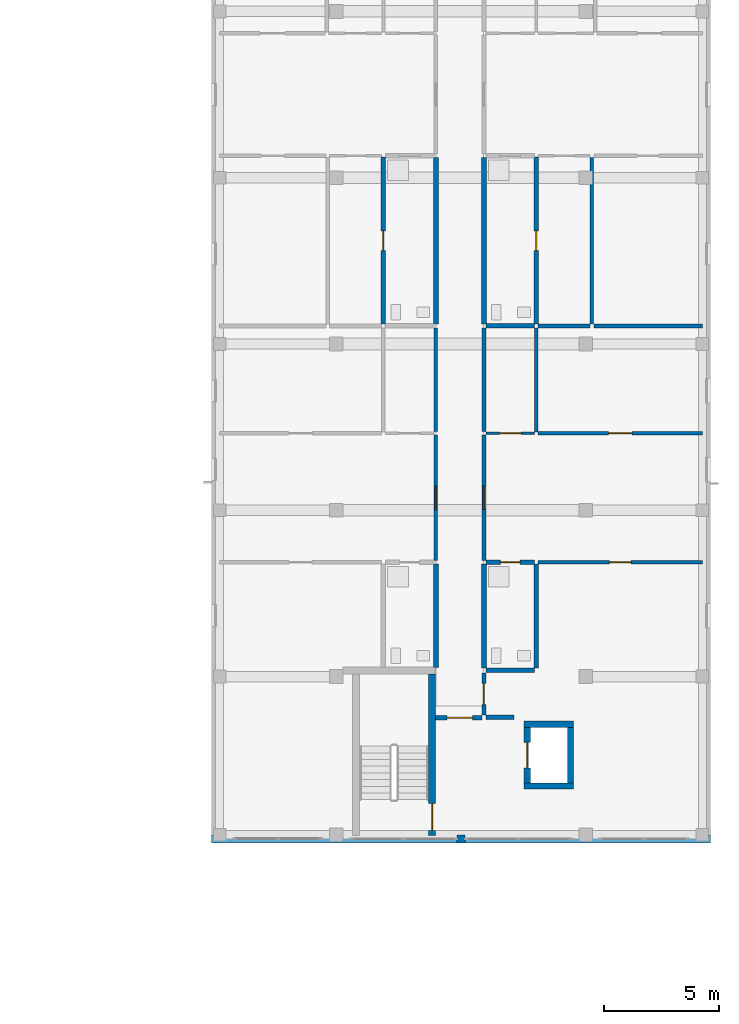
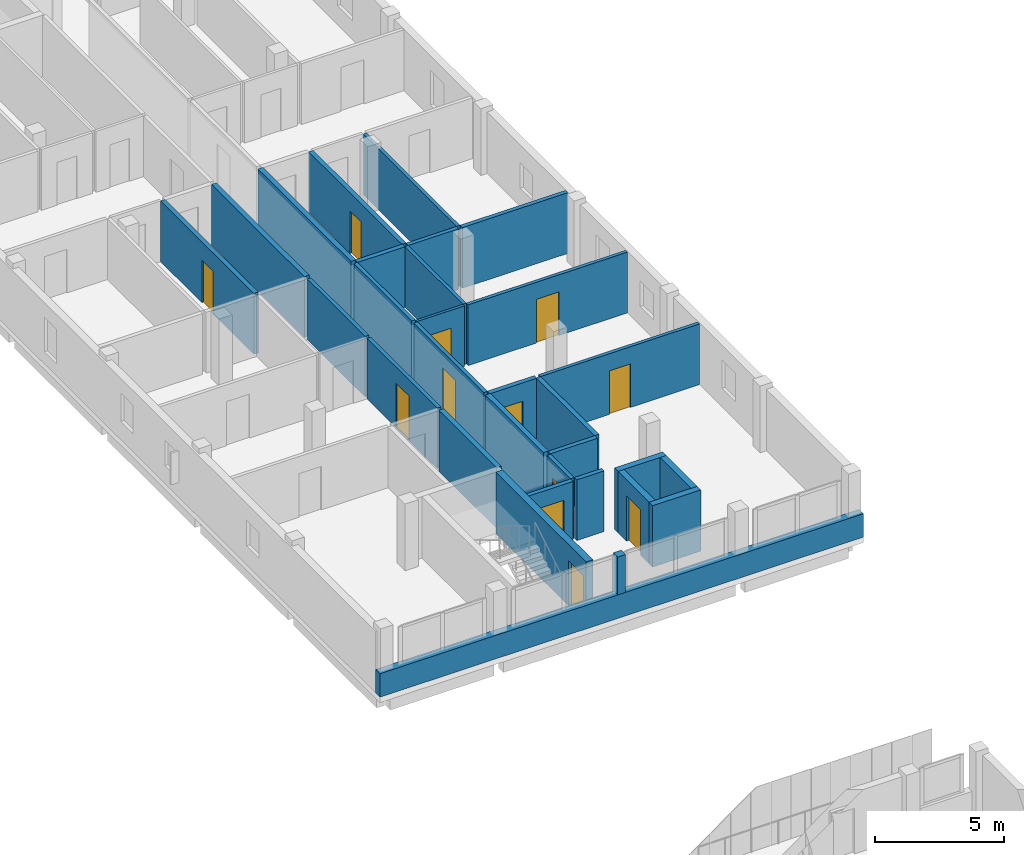
# One storey, part 22 of 38: 31 walls, 12 doors, 12 openings.
"""IFC4 building model written with IfcOpenShell, lengths in metres."""

from ifc_helpers import new_model, si_unit, derived_unit, direction, frame, frame_2d, origin, place, context, subcontext, project, spatial, rectangle, extrude, material, layer, layer_set, type_object, element, fill, save


model = new_model("IFC4")

# Units and contexts
model_context = context("Model", 3, precision=1e-05, world=origin(), true_north=direction((0.0, 1.0)))
body_context = subcontext(model_context, "Body", "Model", "MODEL_VIEW")
ifc_project = project(units=[si_unit("LENGTHUNIT", "METRE"), si_unit("AREAUNIT", "SQUARE_METRE"), si_unit("VOLUMEUNIT", "CUBIC_METRE"), si_unit("PLANEANGLEUNIT", "RADIAN"), si_unit("MASSUNIT", "GRAM", prefix="KILO"), derived_unit("THERMALTRANSMITTANCEUNIT", [(si_unit("MASSUNIT", "GRAM", prefix="KILO"), 1), (si_unit("TIMEUNIT", "SECOND"), -3), (si_unit("THERMODYNAMICTEMPERATUREUNIT", "KELVIN"), -1)])], contexts=[model_context])

# Site, building, storey
site_placement = place(None, origin())
site = spatial("IfcSite", under=ifc_project, at=site_placement, CompositionType="ELEMENT")
building_placement = place(site_placement, origin())
building = spatial("IfcBuilding", under=site, at=building_placement, Name="Ochrekiln Boulevard Commons", CompositionType="ELEMENT")
storey_placement = place(building_placement, frame((0.0, 0.0, 24.675048828125)))
storey = spatial("IfcBuildingStorey", under=building, at=storey_placement, Name="L07", CompositionType="ELEMENT", Elevation=24.675048828125)

# Walls
ifc_material_1 = material(Name="Iron-spot brown clinker brick masonry ASTM C216 Grade SW", Category="masonry")
ifc_layer_1 = layer(ifc_material_1, 0.340087890625)
ifc_layer_set_1 = layer_set([ifc_layer_1], Name="Iron-spot brown clinker brick masonry ASTM C216 Grade SW")
wall_type_1 = type_object("IfcWallType", Name="WL-EXT-IRON-340", PredefinedType="SOLIDWALL", material=ifc_layer_set_1)
wall_1_placement = place(storey_placement, frame((151.199951171875, 68.570068359375, 0.0), z_axis=(0.0, 0.0, 1.0), x_axis=(1.0, 0.0, 0.0)))
element("IfcWall", 1, at=wall_1_placement, inside=storey, type_object=wall_type_1, Name="Block B L07 Courtyard Gable Sill Wall", PredefinedType="SOLIDWALL", context=body_context, shape_type="SweptSolid", body=[
    extrude(rectangle(XDim=21.60009765625, YDim=0.340087890625, at=frame_2d((10.800048828125, 0.0))), origin(), (0.0, 0.0, 1.0), 1.10986328125),
])
wall_2_placement = place(storey_placement, frame((161.820068359375, 68.570068359375, 1.10986328125), z_axis=(0.0, 0.0, 1.0), x_axis=(1.0, 0.0, 0.0)))
element("IfcWall", 2, at=wall_2_placement, inside=storey, type_object=wall_type_1, Name="Block B L07 Courtyard Gable Mullion Pier", PredefinedType="SOLIDWALL", context=body_context, shape_type="SweptSolid", body=[
    extrude(rectangle(XDim=0.35986328125, YDim=0.340087890625, at=frame_2d((0.179931640625, 0.0))), origin(), (0.0, 0.0, 1.0), 1.7900390625),
])
ifc_material_2 = material(Name="Moisture-resistant cementitious tile backer wall")
ifc_layer_2 = layer(ifc_material_2, 0.199951171875)
ifc_layer_set_2 = layer_set([ifc_layer_2], Name="Moisture-resistant cementitious tile backer wall")
wall_type_2 = type_object("IfcWallType", Name="WL-PLM-200", PredefinedType="PLUMBINGWALL", material=ifc_layer_set_2)
wall_3_placement = place(storey_placement, frame((163.072998046875, 75.875, 0.0), z_axis=(0.0, 0.0, 1.0), x_axis=(1.0, 0.0, 0.0)))
element("IfcWall", 3, at=wall_3_placement, inside=storey, type_object=wall_type_2, Name="L07 Interior Wall W-PW200", PredefinedType="PLUMBINGWALL", context=body_context, shape_type="SweptSolid", body=[
    extrude(rectangle(XDim=2.10693359375, YDim=0.199951171875, at=frame_2d((1.053466796875, 0.0))), origin(), (0.0, 0.0, 1.0), 2.869873046875),
])

# Wall, opening, door
wall_4_placement = place(storey_placement, frame((158.639892578125, 90.8740234375, 0.0), z_axis=(0.0, 0.0, 1.0), x_axis=(0.0, 1.0, 0.0)))
wall_4 = element("IfcWall", 4, at=wall_4_placement, inside=storey, type_object=wall_type_2, Name="L07 Interior Wall W-PW200", PredefinedType="PLUMBINGWALL", context=body_context, shape_type="SweptSolid", body=[
    extrude(rectangle(XDim=7.216064453125, YDim=0.199951171875, at=frame_2d((3.60791015625, 0.0))), origin(), (0.0, 0.0, 1.0), 2.869873046875),
])
opening_1_placement = place(wall_4_placement, frame((3.173095703125, 0.0, 0.0)))
opening_1 = element("IfcOpeningElement", 5, at=opening_1_placement, cuts=wall_4, Name="Opening D-L07-942", PredefinedType="OPENING", context=body_context, shape_type="SweptSolid", body=[
    extrude(rectangle(XDim=0.85009765625, YDim=2.010009765625, at=frame_2d((0.425048828125, 1.0048828125))), frame((0.0, 0.10986328125, 0.0), z_axis=(0.0, -1.0, 0.0), x_axis=(1.0, 0.0, 0.0)), (0.0, 0.0, 1.0), 0.219970703125),
])
ifc_material_3 = material(Name="Solid core architectural oak door leaf")
door_type_1 = type_object("IfcDoorType", Name="DR-INT-KIT-085", OperationType="NOTDEFINED", PredefinedType="DOOR", material=ifc_material_3)
door_1_placement = place(opening_1_placement, frame((0.85009765625, 0.0, 0.0), z_axis=(0.0, 0.0, 1.0), x_axis=(-1.0, 0.0, 0.0)))
door_1 = element("IfcDoor", 6, at=door_1_placement, inside=storey, type_object=door_type_1, Name="L07 Interior Door to Apartment Bathroom", OperationType="SINGLE_SWING_RIGHT", OverallHeight=2.010009765625, OverallWidth=0.85009765625, PredefinedType="DOOR", context=body_context, shape_type="SweptSolid", body=[
    extrude(rectangle(XDim=0.85009765625, YDim=2.010009765625, at=frame_2d((0.425048828125, 1.0048828125))), frame((0.0, 0.02490234375, 0.0), z_axis=(0.0, -1.0, 0.0), x_axis=(1.0, 0.0, 0.0)), (0.0, 0.0, 1.0), 0.050048828125),
])
fill(opening_1, door_1)

wall_5_placement = place(storey_placement, frame((163.072998046875, 80.554931640625, 0.0), z_axis=(0.0, 0.0, 1.0), x_axis=(1.0, 0.0, 0.0)))
wall_5 = element("IfcWall", 7, at=wall_5_placement, inside=storey, type_object=wall_type_2, Name="L07 Interior Wall W-PW200", PredefinedType="PLUMBINGWALL", context=body_context, shape_type="SweptSolid", body=[
    extrude(rectangle(XDim=2.10693359375, YDim=0.199951171875, at=frame_2d((1.053466796875, 0.0))), origin(), (0.0, 0.0, 1.0), 2.869873046875),
])
opening_2_placement = place(wall_5_placement, frame((0.626953125, 0.0, 0.0)))
opening_2 = element("IfcOpeningElement", 8, at=opening_2_placement, cuts=wall_5, Name="Opening D-L07-943", PredefinedType="OPENING", context=body_context, shape_type="SweptSolid", body=[
    extrude(rectangle(XDim=0.860107421875, YDim=2.0, at=frame_2d((0.43017578125, 1.0))), frame((0.0, 0.10986328125, 0.0), z_axis=(0.0, -1.0, 0.0), x_axis=(1.0, 0.0, 0.0)), (0.0, 0.0, 1.0), 0.219970703125),
])
door_type_2 = type_object("IfcDoorType", Name="DR-INT-BTH-086", OperationType="NOTDEFINED", PredefinedType="DOOR", material=ifc_material_3)
door_2_placement = place(opening_2_placement, frame((0.860107421875, 0.0, 0.0), z_axis=(0.0, 0.0, 1.0), x_axis=(-1.0, 0.0, 0.0)))
door_2 = element("IfcDoor", 9, at=door_2_placement, inside=storey, type_object=door_type_2, Name="L07 Interior Door to Apartment Bathroom", OperationType="SINGLE_SWING_LEFT", OverallHeight=2.0, OverallWidth=0.860107421875, PredefinedType="DOOR", context=body_context, shape_type="SweptSolid", body=[
    extrude(rectangle(XDim=0.860107421875, YDim=2.0, at=frame_2d((0.43017578125, 1.0))), frame((0.0, 0.02490234375, 0.0), z_axis=(0.0, -1.0, 0.0), x_axis=(1.0, 0.0, 0.0)), (0.0, 0.0, 1.0), 0.050048828125),
])
fill(opening_2, door_2)

# Walls
wall_6_placement = place(storey_placement, frame((165.260009765625, 75.97509765625, 0.0), z_axis=(0.0, 0.0, 1.0), x_axis=(0.0, 1.0, 0.0)))
element("IfcWall", 10, at=wall_6_placement, inside=storey, type_object=wall_type_2, Name="L07 Interior Wall W-PW200", PredefinedType="PLUMBINGWALL", context=body_context, shape_type="SweptSolid", body=[
    extrude(rectangle(XDim=4.5048828125, YDim=0.199951171875, at=frame_2d((2.25244140625, 0.0))), origin(), (0.0, 0.0, 1.0), 2.869873046875),
])
wall_7_placement = place(storey_placement, frame((163.072998046875, 90.783935546875, 0.0), z_axis=(0.0, 0.0, 1.0), x_axis=(1.0, 0.0, 0.0)))
element("IfcWall", 11, at=wall_7_placement, inside=storey, type_object=wall_type_2, Name="L07 Interior Wall W-PW200", PredefinedType="PLUMBINGWALL", context=body_context, shape_type="SweptSolid", body=[
    extrude(rectangle(XDim=2.10693359375, YDim=0.199951171875, at=frame_2d((1.053466796875, 0.0))), origin(), (0.0, 0.0, 1.0), 2.869873046875),
])

# Wall, opening, door
wall_8_placement = place(storey_placement, frame((165.260009765625, 90.8740234375, 0.0), z_axis=(0.0, 0.0, 1.0), x_axis=(0.0, 1.0, 0.0)))
wall_8 = element("IfcWall", 12, at=wall_8_placement, inside=storey, type_object=wall_type_2, Name="L07 Interior Wall W-PW200", PredefinedType="PLUMBINGWALL", context=body_context, shape_type="SweptSolid", body=[
    extrude(rectangle(XDim=7.216064453125, YDim=0.199951171875, at=frame_2d((3.60791015625, 0.0))), origin(), (0.0, 0.0, 1.0), 2.869873046875),
])
opening_3_placement = place(wall_8_placement, frame((3.173095703125, 0.0, 0.0)))
opening_3 = element("IfcOpeningElement", 13, at=opening_3_placement, cuts=wall_8, Name="Opening D-L07-953", PredefinedType="OPENING", context=body_context, shape_type="SweptSolid", body=[
    extrude(rectangle(XDim=0.85009765625, YDim=2.010009765625, at=frame_2d((0.425048828125, 1.0048828125))), frame((0.0, 0.10986328125, 0.0), z_axis=(0.0, -1.0, 0.0), x_axis=(1.0, 0.0, 0.0)), (0.0, 0.0, 1.0), 0.219970703125),
])
door_3_placement = place(opening_3_placement, origin())
door_3 = element("IfcDoor", 14, at=door_3_placement, inside=storey, type_object=door_type_1, Name="L07 Interior Door to Apartment Bathroom", OperationType="SINGLE_SWING_LEFT", OverallHeight=2.010009765625, OverallWidth=0.85009765625, PredefinedType="DOOR", context=body_context, shape_type="SweptSolid", body=[
    extrude(rectangle(XDim=0.85009765625, YDim=2.010009765625, at=frame_2d((0.425048828125, 1.0048828125))), frame((0.0, 0.02490234375, 0.0), z_axis=(0.0, -1.0, 0.0), x_axis=(1.0, 0.0, 0.0)), (0.0, 0.0, 1.0), 0.050048828125),
])
fill(opening_3, door_3)

# Walls
ifc_layer_3 = layer(ifc_material_2, 0.219970703125)
ifc_layer_set_3 = layer_set([ifc_layer_3], Name="Moisture-resistant cementitious tile backer wall")
wall_type_3 = type_object("IfcWallType", Name="WL-PLM-220", PredefinedType="PLUMBINGWALL", material=ifc_layer_set_3)
wall_9_placement = place(storey_placement, frame((160.909912109375, 76.0, 0.0), z_axis=(0.0, 0.0, 1.0), x_axis=(0.0, 1.0, 0.0)))
element("IfcWall", 15, at=wall_9_placement, inside=storey, type_object=wall_type_3, Name="L07 Interior Wall W-PW220", PredefinedType="PLUMBINGWALL", context=body_context, shape_type="SweptSolid", body=[
    extrude(rectangle(XDim=4.47509765625, YDim=0.219970703125, at=frame_2d((2.237548828125, 0.0))), origin(), (0.0, 0.0, 1.0), 2.869873046875),
])
wall_10_placement = place(storey_placement, frame((160.909912109375, 90.8740234375, 0.0), z_axis=(0.0, 0.0, 1.0), x_axis=(0.0, 1.0, 0.0)))
element("IfcWall", 16, at=wall_10_placement, inside=storey, type_object=wall_type_3, Name="L07 Interior Wall W-PW220", PredefinedType="PLUMBINGWALL", context=body_context, shape_type="SweptSolid", body=[
    extrude(rectangle(XDim=7.196044921875, YDim=0.219970703125, at=frame_2d((3.59814453125, 0.0))), origin(), (0.0, 0.0, 1.0), 2.869873046875),
])
wall_11_placement = place(storey_placement, frame((162.989990234375, 75.97509765625, 0.0), z_axis=(0.0, 0.0, 1.0), x_axis=(0.0, 1.0, 0.0)))
element("IfcWall", 17, at=wall_11_placement, inside=storey, type_object=wall_type_3, Name="L07 Interior Wall W-PW220", PredefinedType="PLUMBINGWALL", context=body_context, shape_type="SweptSolid", body=[
    extrude(rectangle(XDim=4.5, YDim=0.219970703125, at=frame_2d((2.25, 0.0))), origin(), (0.0, 0.0, 1.0), 2.869873046875),
])
wall_12_placement = place(storey_placement, frame((162.989990234375, 90.8740234375, 0.0), z_axis=(0.0, 0.0, 1.0), x_axis=(0.0, 1.0, 0.0)))
element("IfcWall", 18, at=wall_12_placement, inside=storey, type_object=wall_type_3, Name="L07 Interior Wall W-PW220", PredefinedType="PLUMBINGWALL", context=body_context, shape_type="SweptSolid", body=[
    extrude(rectangle(XDim=7.196044921875, YDim=0.219970703125, at=frame_2d((3.59814453125, 0.0))), origin(), (0.0, 0.0, 1.0), 2.869873046875),
])

# Wall, opening, door
ifc_material_4 = material(Name="Fire-rated Type X gypsum board on steel studs", Category="steel")
ifc_layer_4 = layer(ifc_material_4, 0.1650390625)
ifc_layer_set_4 = layer_set([ifc_layer_4], Name="Fire-rated Type X gypsum board on steel studs")
wall_type_4 = type_object("IfcWallType", Name="WL-PT-CORR-165", PredefinedType="PARTITIONING", material=ifc_layer_set_4)
wall_13_placement = place(storey_placement, frame((162.989990234375, 73.929931640625, 0.0), z_axis=(0.0, 0.0, 1.0), x_axis=(0.0, 1.0, 0.0)))
wall_13 = element("IfcWall", 19, at=wall_13_placement, inside=storey, type_object=wall_type_4, Name="L07 Interior Wall W-PC165", PredefinedType="PARTITIONING", context=body_context, shape_type="SweptSolid", body=[
    extrude(rectangle(XDim=1.820068359375, YDim=0.1650390625, at=frame_2d((0.91015625, 0.0))), origin(), (0.0, 0.0, 1.0), 2.869873046875),
])
opening_4_placement = place(wall_13_placement, frame((0.4599609375, 0.0, 0.0)))
opening_4 = element("IfcOpeningElement", 20, at=opening_4_placement, cuts=wall_13, Name="Opening D-L07-927", PredefinedType="OPENING", context=body_context, shape_type="SweptSolid", body=[
    extrude(rectangle(XDim=0.919921875, YDim=2.0400390625, at=frame_2d((0.4599609375, 1.02001953125))), frame((0.0, 0.092529296875, 0.0), z_axis=(0.0, -1.0, 0.0), x_axis=(1.0, 0.0, 0.0)), (0.0, 0.0, 1.0), 0.18505859375),
])
ifc_material_5 = material(Name="Hollow metal fire-rated steel door assembly", Category="steel")
door_type_3 = type_object("IfcDoorType", Name="DR-SRV-90", OperationType="NOTDEFINED", PredefinedType="DOOR", material=ifc_material_5)
door_4_placement = place(opening_4_placement, frame((0.919921875, 0.0, 0.0), z_axis=(0.0, 0.0, 1.0), x_axis=(-1.0, 0.0, 0.0)))
door_4 = element("IfcDoor", 21, at=door_4_placement, inside=storey, type_object=door_type_3, Name="L07 Interior Door to Hydronic and Electrical Riser Room", OperationType="SINGLE_SWING_LEFT", OverallHeight=2.0400390625, OverallWidth=0.919921875, PredefinedType="DOOR", context=body_context, shape_type="SweptSolid", body=[
    extrude(rectangle(XDim=0.919921875, YDim=2.0400390625, at=frame_2d((0.4599609375, 1.02001953125))), frame((0.0, 0.02490234375, 0.0), z_axis=(0.0, -1.0, 0.0), x_axis=(1.0, 0.0, 0.0)), (0.0, 0.0, 1.0), 0.050048828125),
])
fill(opening_4, door_4)

wall_14_placement = place(storey_placement, frame((160.909912109375, 80.635009765625, 0.0), z_axis=(0.0, 0.0, 1.0), x_axis=(0.0, 1.0, 0.0)))
wall_14 = element("IfcWall", 22, at=wall_14_placement, inside=storey, type_object=wall_type_4, Name="L07 Interior Wall W-PC165", PredefinedType="PARTITIONING", context=body_context, shape_type="SweptSolid", body=[
    extrude(rectangle(XDim=5.424072265625, YDim=0.1650390625, at=frame_2d((2.7119140625, 0.0))), origin(), (0.0, 0.0, 1.0), 2.869873046875),
])
opening_5_placement = place(wall_14_placement, frame((2.20703125, 0.0, 0.0)))
opening_5 = element("IfcOpeningElement", 23, at=opening_5_placement, cuts=wall_14, Name="Opening D-L07-928", PredefinedType="OPENING", context=body_context, shape_type="SweptSolid", body=[
    extrude(rectangle(XDim=1.010009765625, YDim=2.110107421875, at=frame_2d((0.5048828125, 1.05517578125))), frame((0.0, 0.092529296875, 0.0), z_axis=(0.0, -1.0, 0.0), x_axis=(1.0, 0.0, 0.0)), (0.0, 0.0, 1.0), 0.18505859375),
])
door_type_4 = type_object("IfcDoorType", Name="DR-INT-APT-101", OperationType="NOTDEFINED", PredefinedType="DOOR", material=ifc_material_3)
door_5_placement = place(opening_5_placement, origin())
door_5 = element("IfcDoor", 24, at=door_5_placement, inside=storey, type_object=door_type_4, Name="L07 Interior Door to Two-Bedroom Apartment Living Room", OperationType="SINGLE_SWING_RIGHT", OverallHeight=2.110107421875, OverallWidth=1.010009765625, PredefinedType="DOOR", context=body_context, shape_type="SweptSolid", body=[
    extrude(rectangle(XDim=1.010009765625, YDim=2.110107421875, at=frame_2d((0.5048828125, 1.05517578125))), frame((0.0, 0.02490234375, 0.0), z_axis=(0.0, -1.0, 0.0), x_axis=(1.0, 0.0, 0.0)), (0.0, 0.0, 1.0), 0.050048828125),
])
fill(opening_5, door_5)

# Wall
wall_15_placement = place(storey_placement, frame((160.909912109375, 86.218994140625, 0.0), z_axis=(0.0, 0.0, 1.0), x_axis=(0.0, 1.0, 0.0)))
element("IfcWall", 25, at=wall_15_placement, inside=storey, type_object=wall_type_4, Name="L07 Interior Wall W-PC165", PredefinedType="PARTITIONING", context=body_context, shape_type="SweptSolid", body=[
    extrude(rectangle(XDim=4.47509765625, YDim=0.1650390625, at=frame_2d((2.237548828125, 0.0))), origin(), (0.0, 0.0, 1.0), 2.869873046875),
])

# Wall, opening, door
wall_16_placement = place(storey_placement, frame((162.989990234375, 80.635009765625, 0.0), z_axis=(0.0, 0.0, 1.0), x_axis=(0.0, 1.0, 0.0)))
wall_16 = element("IfcWall", 26, at=wall_16_placement, inside=storey, type_object=wall_type_4, Name="L07 Interior Wall W-PC165", PredefinedType="PARTITIONING", context=body_context, shape_type="SweptSolid", body=[
    extrude(rectangle(XDim=5.424072265625, YDim=0.1650390625, at=frame_2d((2.7119140625, 0.0))), origin(), (0.0, 0.0, 1.0), 2.869873046875),
])
opening_6_placement = place(wall_16_placement, frame((2.20703125, 0.0, 0.0)))
opening_6 = element("IfcOpeningElement", 27, at=opening_6_placement, cuts=wall_16, Name="Opening D-L07-930", PredefinedType="OPENING", context=body_context, shape_type="SweptSolid", body=[
    extrude(rectangle(XDim=1.010009765625, YDim=2.110107421875, at=frame_2d((0.5048828125, 1.05517578125))), frame((0.0, 0.092529296875, 0.0), z_axis=(0.0, -1.0, 0.0), x_axis=(1.0, 0.0, 0.0)), (0.0, 0.0, 1.0), 0.18505859375),
])
door_6_placement = place(opening_6_placement, frame((1.010009765625, 0.0, 0.0), z_axis=(0.0, 0.0, 1.0), x_axis=(-1.0, 0.0, 0.0)))
door_6 = element("IfcDoor", 28, at=door_6_placement, inside=storey, type_object=door_type_4, Name="L07 Interior Door to Two-Bedroom Apartment Living Room", OperationType="SINGLE_SWING_RIGHT", OverallHeight=2.110107421875, OverallWidth=1.010009765625, PredefinedType="DOOR", context=body_context, shape_type="SweptSolid", body=[
    extrude(rectangle(XDim=1.010009765625, YDim=2.110107421875, at=frame_2d((0.5048828125, 1.05517578125))), frame((0.0, 0.02490234375, 0.0), z_axis=(0.0, -1.0, 0.0), x_axis=(1.0, 0.0, 0.0)), (0.0, 0.0, 1.0), 0.050048828125),
])
fill(opening_6, door_6)

# Walls
wall_17_placement = place(storey_placement, frame((162.989990234375, 86.218994140625, 0.0), z_axis=(0.0, 0.0, 1.0), x_axis=(0.0, 1.0, 0.0)))
element("IfcWall", 29, at=wall_17_placement, inside=storey, type_object=wall_type_4, Name="L07 Interior Wall W-PC165", PredefinedType="PARTITIONING", context=body_context, shape_type="SweptSolid", body=[
    extrude(rectangle(XDim=4.47509765625, YDim=0.1650390625, at=frame_2d((2.237548828125, 0.0))), origin(), (0.0, 0.0, 1.0), 2.869873046875),
])
ifc_layer_5 = layer(ifc_material_4, 0.179931640625)
ifc_layer_set_5 = layer_set([ifc_layer_5], Name="Fire-rated Type X gypsum board on steel studs")
wall_type_5 = type_object("IfcWallType", Name="WL-PT-DEM-180", PredefinedType="PARTITIONING", material=ifc_layer_set_5)
wall_18_placement = place(storey_placement, frame((167.75, 90.783935546875, 0.0), z_axis=(0.0, 0.0, 1.0), x_axis=(1.0, 0.0, 0.0)))
element("IfcWall", 30, at=wall_18_placement, inside=storey, type_object=wall_type_5, Name="L07 Interior Wall W-PD180", PredefinedType="PARTITIONING", context=body_context, shape_type="SweptSolid", body=[
    extrude(rectangle(XDim=4.7099609375, YDim=0.179931640625, at=frame_2d((2.35498046875, 0.0))), origin(), (0.0, 0.0, 1.0), 2.869873046875),
])
wall_19_placement = place(storey_placement, frame((165.3349609375, 90.783935546875, 0.0), z_axis=(0.0, 0.0, 1.0), x_axis=(1.0, 0.0, 0.0)))
element("IfcWall", 31, at=wall_19_placement, inside=storey, type_object=wall_type_5, Name="L07 Interior Wall W-PD180", PredefinedType="PARTITIONING", context=body_context, shape_type="SweptSolid", body=[
    extrude(rectangle(XDim=2.255126953125, YDim=0.179931640625, at=frame_2d((1.12744140625, 0.0))), origin(), (0.0, 0.0, 1.0), 2.869873046875),
])
ifc_layer_6 = layer(ifc_material_4, 0.18994140625)
ifc_layer_set_6 = layer_set([ifc_layer_6], Name="Fire-rated Type X gypsum board on steel studs")
wall_type_6 = type_object("IfcWallType", Name="WL-PT-LBY-190", PredefinedType="PARTITIONING", material=ifc_layer_set_6)
wall_20_placement = place(storey_placement, frame((163.080078125, 73.8349609375, 0.0), z_axis=(0.0, 0.0, 1.0), x_axis=(1.0, 0.0, 0.0)))
element("IfcWall", 32, at=wall_20_placement, inside=storey, type_object=wall_type_6, Name="L07 Interior Wall W-PL190", PredefinedType="PARTITIONING", context=body_context, shape_type="SweptSolid", body=[
    extrude(rectangle(XDim=1.219970703125, YDim=0.18994140625, at=frame_2d((0.60986328125, 0.0))), origin(), (0.0, 0.0, 1.0), 2.869873046875),
])

# Wall, opening, door
wall_21_placement = place(storey_placement, frame((160.89990234375, 73.820068359375, 0.0), z_axis=(0.0, 0.0, 1.0), x_axis=(1.0, 0.0, 0.0)))
wall_21 = element("IfcWall", 33, at=wall_21_placement, inside=storey, type_object=wall_type_6, Name="L07 Interior Wall W-PL190", PredefinedType="PARTITIONING", context=body_context, shape_type="SweptSolid", body=[
    extrude(rectangle(XDim=2.0, YDim=0.18994140625, at=frame_2d((1.0, 0.0))), origin(), (0.0, 0.0, 1.0), 2.869873046875),
])
opening_7_placement = place(wall_21_placement, frame((0.5, 0.0, 0.0)))
opening_7 = element("IfcOpeningElement", 34, at=opening_7_placement, cuts=wall_21, Name="Opening D-L07-925", PredefinedType="OPENING", context=body_context, shape_type="SweptSolid", body=[
    extrude(rectangle(XDim=1.10009765625, YDim=2.1201171875, at=frame_2d((0.550048828125, 1.06005859375))), frame((0.0, 0.10498046875, 0.0), z_axis=(0.0, -1.0, 0.0), x_axis=(1.0, 0.0, 0.0)), (0.0, 0.0, 1.0), 0.2099609375),
])
door_type_5 = type_object("IfcDoorType", Name="DR-LOBBY-60", OperationType="NOTDEFINED", PredefinedType="DOOR", material=ifc_material_5)
door_7_placement = place(opening_7_placement, frame((1.10009765625, 0.0, 0.0), z_axis=(0.0, 0.0, 1.0), x_axis=(-1.0, 0.0, 0.0)))
door_7 = element("IfcDoor", 35, at=door_7_placement, inside=storey, type_object=door_type_5, Name="L07 Interior Door to Fire Service Access Elevator Lobby", OperationType="SINGLE_SWING_LEFT", OverallHeight=2.1201171875, OverallWidth=1.10009765625, PredefinedType="DOOR", context=body_context, shape_type="SweptSolid", body=[
    extrude(rectangle(XDim=1.10009765625, YDim=2.1201171875, at=frame_2d((0.550048828125, 1.06005859375))), frame((0.0, 0.02490234375, 0.0), z_axis=(0.0, -1.0, 0.0), x_axis=(1.0, 0.0, 0.0)), (0.0, 0.0, 1.0), 0.050048828125),
])
fill(opening_7, door_7)

ifc_layer_7 = layer(ifc_material_4, 0.1201171875)
ifc_layer_set_7 = layer_set([ifc_layer_7], Name="Fire-rated Type X gypsum board on steel studs")
wall_type_7 = type_object("IfcWallType", Name="WL-PT-LGT-120", PredefinedType="PARTITIONING", material=ifc_layer_set_7)
wall_22_placement = place(storey_placement, frame((163.072998046875, 86.138916015625, 0.0), z_axis=(0.0, 0.0, 1.0), x_axis=(1.0, 0.0, 0.0)))
wall_22 = element("IfcWall", 36, at=wall_22_placement, inside=storey, type_object=wall_type_7, Name="L07 Interior Wall W-PL120", PredefinedType="PARTITIONING", context=body_context, shape_type="SweptSolid", body=[
    extrude(rectangle(XDim=2.10693359375, YDim=0.1201171875, at=frame_2d((1.053466796875, 0.0))), origin(), (0.0, 0.0, 1.0), 2.869873046875),
])
opening_8_placement = place(wall_22_placement, frame((0.596923828125, 0.0, 0.0)))
opening_8 = element("IfcOpeningElement", 37, at=opening_8_placement, cuts=wall_22, Name="Opening D-L07-944", PredefinedType="OPENING", context=body_context, shape_type="SweptSolid", body=[
    extrude(rectangle(XDim=0.919921875, YDim=2.02001953125, at=frame_2d((0.4599609375, 1.010009765625))), frame((0.0, 0.070068359375, 0.0), z_axis=(0.0, -1.0, 0.0), x_axis=(1.0, 0.0, 0.0)), (0.0, 0.0, 1.0), 0.14013671875),
])
door_type_6 = type_object("IfcDoorType", Name="DR-INT-KIT-092", OperationType="NOTDEFINED", PredefinedType="DOOR", material=ifc_material_3)
door_8_placement = place(opening_8_placement, origin())
door_8 = element("IfcDoor", 38, at=door_8_placement, inside=storey, type_object=door_type_6, Name="L07 Interior Door to Apartment Kitchen", OperationType="SINGLE_SWING_RIGHT", OverallHeight=2.02001953125, OverallWidth=0.919921875, PredefinedType="DOOR", context=body_context, shape_type="SweptSolid", body=[
    extrude(rectangle(XDim=0.919921875, YDim=2.02001953125, at=frame_2d((0.4599609375, 1.010009765625))), frame((0.0, 0.02490234375, 0.0), z_axis=(0.0, -1.0, 0.0), x_axis=(1.0, 0.0, 0.0)), (0.0, 0.0, 1.0), 0.050048828125),
])
fill(opening_8, door_8)

ifc_layer_8 = layer(ifc_material_4, 0.14990234375)
ifc_layer_set_8 = layer_set([ifc_layer_8], Name="Fire-rated Type X gypsum board on steel studs")
wall_type_8 = type_object("IfcWallType", Name="WL-PT-STD-150", PredefinedType="PARTITIONING", material=ifc_layer_set_8)
wall_23_placement = place(storey_placement, frame((165.340087890625, 80.554931640625, 0.0), z_axis=(0.0, 0.0, 1.0), x_axis=(1.0, 0.0, 0.0)))
wall_23 = element("IfcWall", 39, at=wall_23_placement, inside=storey, type_object=wall_type_8, Name="L07 Interior Wall W-PS150", PredefinedType="PARTITIONING", context=body_context, shape_type="SweptSolid", body=[
    extrude(rectangle(XDim=7.119873046875, YDim=0.14990234375, at=frame_2d((3.56005859375, 0.0))), origin(), (0.0, 0.0, 1.0), 2.869873046875),
])
opening_9_placement = place(wall_23_placement, frame((3.0849609375, 0.0, 0.0)))
opening_9 = element("IfcOpeningElement", 40, at=opening_9_placement, cuts=wall_23, Name="Opening D-L07-945", PredefinedType="OPENING", context=body_context, shape_type="SweptSolid", body=[
    extrude(rectangle(XDim=0.93994140625, YDim=2.06005859375, at=frame_2d((0.469970703125, 1.030029296875))), frame((0.0, 0.0849609375, 0.0), z_axis=(0.0, -1.0, 0.0), x_axis=(1.0, 0.0, 0.0)), (0.0, 0.0, 1.0), 0.169921875),
])
door_type_7 = type_object("IfcDoorType", Name="DR-INT-BED-094", OperationType="NOTDEFINED", PredefinedType="DOOR", material=ifc_material_3)
door_9_placement = place(opening_9_placement, frame((0.93994140625, 0.0, 0.0), z_axis=(0.0, 0.0, 1.0), x_axis=(-1.0, 0.0, 0.0)))
door_9 = element("IfcDoor", 41, at=door_9_placement, inside=storey, type_object=door_type_7, Name="L07 Interior Door to Primary Apartment Bedroom", OperationType="SINGLE_SWING_LEFT", OverallHeight=2.06005859375, OverallWidth=0.93994140625, PredefinedType="DOOR", context=body_context, shape_type="SweptSolid", body=[
    extrude(rectangle(XDim=0.93994140625, YDim=2.06005859375, at=frame_2d((0.469970703125, 1.030029296875))), frame((0.0, 0.02490234375, 0.0), z_axis=(0.0, -1.0, 0.0), x_axis=(1.0, 0.0, 0.0)), (0.0, 0.0, 1.0), 0.050048828125),
])
fill(opening_9, door_9)

wall_24_placement = place(storey_placement, frame((165.340087890625, 86.138916015625, 0.0), z_axis=(0.0, 0.0, 1.0), x_axis=(1.0, 0.0, 0.0)))
wall_24 = element("IfcWall", 42, at=wall_24_placement, inside=storey, type_object=wall_type_8, Name="L07 Interior Wall W-PS150", PredefinedType="PARTITIONING", context=body_context, shape_type="SweptSolid", body=[
    extrude(rectangle(XDim=7.119873046875, YDim=0.14990234375, at=frame_2d((3.56005859375, 0.0))), origin(), (0.0, 0.0, 1.0), 2.869873046875),
])
opening_10_placement = place(wall_24_placement, frame((3.054931640625, 0.0, 0.0)))
opening_10 = element("IfcOpeningElement", 43, at=opening_10_placement, cuts=wall_24, Name="Opening D-L07-946", PredefinedType="OPENING", context=body_context, shape_type="SweptSolid", body=[
    extrude(rectangle(XDim=1.0, YDim=2.06005859375, at=frame_2d((0.5, 1.030029296875))), frame((0.0, 0.0849609375, 0.0), z_axis=(0.0, -1.0, 0.0), x_axis=(1.0, 0.0, 0.0)), (0.0, 0.0, 1.0), 0.169921875),
])
door_type_8 = type_object("IfcDoorType", Name="DR-INT-BED-100", OperationType="NOTDEFINED", PredefinedType="DOOR", material=ifc_material_3)
door_10_placement = place(opening_10_placement, origin())
door_10 = element("IfcDoor", 44, at=door_10_placement, inside=storey, type_object=door_type_8, Name="L07 Interior Door to Secondary Apartment Bedroom", OperationType="SINGLE_SWING_RIGHT", OverallHeight=2.06005859375, OverallWidth=1.0, PredefinedType="DOOR", context=body_context, shape_type="SweptSolid", body=[
    extrude(rectangle(XDim=1.0, YDim=2.06005859375, at=frame_2d((0.5, 1.030029296875))), frame((0.0, 0.02490234375, 0.0), z_axis=(0.0, -1.0, 0.0), x_axis=(1.0, 0.0, 0.0)), (0.0, 0.0, 1.0), 0.050048828125),
])
fill(opening_10, door_10)

# Walls
wall_25_placement = place(storey_placement, frame((165.260009765625, 86.198974609375, 0.0), z_axis=(0.0, 0.0, 1.0), x_axis=(0.0, 1.0, 0.0)))
element("IfcWall", 45, at=wall_25_placement, inside=storey, type_object=wall_type_8, Name="L07 Interior Wall W-PS150", PredefinedType="PARTITIONING", context=body_context, shape_type="SweptSolid", body=[
    extrude(rectangle(XDim=4.4951171875, YDim=0.14990234375, at=frame_2d((2.24755859375, 0.0))), origin(), (0.0, 0.0, 1.0), 2.869873046875),
])
wall_26_placement = place(storey_placement, frame((167.669921875, 90.8740234375, 0.0), z_axis=(0.0, 0.0, 1.0), x_axis=(0.0, 1.0, 0.0)))
element("IfcWall", 46, at=wall_26_placement, inside=storey, type_object=wall_type_8, Name="L07 Interior Wall W-PS150", PredefinedType="PARTITIONING", context=body_context, shape_type="SweptSolid", body=[
    extrude(rectangle(XDim=7.200927734375, YDim=0.14990234375, at=frame_2d((3.6005859375, 0.0))), origin(), (0.0, 0.0, 1.0), 2.869873046875),
])
ifc_material_6 = material(Name="Concrete C40/50", Category="concrete")
ifc_layer_9 = layer(ifc_material_6, 0.27490234375)
ifc_layer_set_9 = layer_set([ifc_layer_9], Name="Concrete C40/50")
wall_type_9 = type_object("IfcWallType", Name="WL-SH-275", PredefinedType="SHEAR", material=ifc_layer_set_9)
for number, where, z_axis, x_axis, name in (
    (47, (164.72509765625, 70.862548828125, 0.0), (0.0, 0.0, 1.0), (1.0, 0.0, 0.0), "Elevator FF-B1 L07 Hoistway Shear Wall"),
    (48, (164.72509765625, 73.53759765625, 0.0), (0.0, 0.0, 1.0), (1.0, 0.0, 0.0), "Elevator FF-B1 L07 Hoistway Shear Wall"),
):
    element("IfcWall", number, at=place(storey_placement, frame(where, z_axis=z_axis, x_axis=x_axis)), inside=storey, type_object=wall_type_9, Name=name, PredefinedType="SHEAR", context=body_context, shape_type="SweptSolid", body=[
        extrude(rectangle(XDim=2.14990234375, YDim=0.27490234375, at=frame_2d((1.074951171875, 0.0))), origin(), (0.0, 0.0, 1.0), 2.89990234375),
    ])

# Wall, opening, door
wall_27_placement = place(storey_placement, frame((164.862548828125, 71.0, 0.0), z_axis=(0.0, 0.0, 1.0), x_axis=(0.0, 1.0, 0.0)))
wall_27 = element("IfcWall", 49, at=wall_27_placement, inside=storey, type_object=wall_type_9, Name="Elevator FF-B1 L07 Hoistway Shear Wall", PredefinedType="SHEAR", context=body_context, shape_type="SweptSolid", body=[
    extrude(rectangle(XDim=2.39990234375, YDim=0.27490234375, at=frame_2d((1.199951171875, 0.0))), origin(), (0.0, 0.0, 1.0), 2.89990234375),
])
opening_11_placement = place(wall_27_placement, frame((0.64990234375, 0.0, 0.0)))
opening_11 = element("IfcOpeningElement", 50, at=opening_11_placement, cuts=wall_27, Name="Opening LD-FF-B1-L07", PredefinedType="OPENING", context=body_context, shape_type="SweptSolid", body=[
    extrude(rectangle(XDim=1.10009765625, YDim=2.14990234375, at=frame_2d((0.550048828125, 1.074951171875))), frame((0.0, 0.1474609375, 0.0), z_axis=(0.0, -1.0, 0.0), x_axis=(1.0, 0.0, 0.0)), (0.0, 0.0, 1.0), 0.294921875),
])
ifc_material_7 = material(Name="Brushed stainless steel 316 elevator cab and doors", Category="steel")
door_type_9 = type_object("IfcDoorType", Name="DR-LIFT-LD90", OperationType="SLIDING_TO_LEFT", PredefinedType="DOOR", material=ifc_material_7)
door_11_placement = place(opening_11_placement, origin())
door_11 = element("IfcDoor", 51, at=door_11_placement, inside=storey, type_object=door_type_9, Name="Elevator FF-B1 L07 Sliding Landing Door LD-FF-B1-L07", OperationType="SLIDING_TO_LEFT", OverallHeight=2.14990234375, OverallWidth=1.10009765625, PredefinedType="DOOR", context=body_context, shape_type="SweptSolid", body=[
    extrude(rectangle(XDim=1.10009765625, YDim=2.14990234375, at=frame_2d((0.550048828125, 1.074951171875))), frame((0.0, 0.02490234375, 0.0), z_axis=(0.0, -1.0, 0.0), x_axis=(1.0, 0.0, 0.0)), (0.0, 0.0, 1.0), 0.050048828125),
])
fill(opening_11, door_11)

# Wall
wall_28_placement = place(storey_placement, frame((166.737548828125, 71.0, 0.0), z_axis=(0.0, 0.0, 1.0), x_axis=(0.0, 1.0, 0.0)))
element("IfcWall", 52, at=wall_28_placement, inside=storey, type_object=wall_type_9, Name="Elevator FF-B1 L07 Hoistway Shear Wall", PredefinedType="SHEAR", context=body_context, shape_type="SweptSolid", body=[
    extrude(rectangle(XDim=2.39990234375, YDim=0.27490234375, at=frame_2d((1.199951171875, 0.0))), origin(), (0.0, 0.0, 1.0), 2.89990234375),
])

# Wall, opening, door
ifc_layer_10 = layer(ifc_material_6, 0.300048828125)
ifc_layer_set_10 = layer_set([ifc_layer_10], Name="Concrete C40/50")
wall_type_10 = type_object("IfcWallType", Name="WL-SH-300", PredefinedType="SHEAR", material=ifc_layer_set_10)
wall_29_placement = place(storey_placement, frame((160.75, 68.719970703125, 0.0), z_axis=(0.0, 0.0, 1.0), x_axis=(0.0, 1.0, 0.0)))
wall_29 = element("IfcWall", 53, at=wall_29_placement, inside=storey, type_object=wall_type_10, Name="Stair ST-B1 L07 Core Shear Wall E", PredefinedType="SHEAR", context=body_context, shape_type="SweptSolid", body=[
    extrude(rectangle(XDim=7.0, YDim=0.300048828125, at=frame_2d((3.5, 0.0))), origin(), (0.0, 0.0, 1.0), 2.89990234375),
])
opening_12_placement = place(wall_29_placement, frame((0.22509765625, 0.0, 0.0)))
opening_12 = element("IfcOpeningElement", 54, at=opening_12_placement, cuts=wall_29, Name="Opening D-L07-ST-B1", PredefinedType="OPENING", context=body_context, shape_type="SweptSolid", body=[
    extrude(rectangle(XDim=1.14990234375, YDim=2.1201171875, at=frame_2d((0.574951171875, 1.06005859375))), frame((0.0, 0.159912109375, 0.0), z_axis=(0.0, -1.0, 0.0), x_axis=(1.0, 0.0, 0.0)), (0.0, 0.0, 1.0), 0.320068359375),
])
door_type_10 = type_object("IfcDoorType", Name="DR-STAIR-90", OperationType="NOTDEFINED", PredefinedType="DOOR", material=ifc_material_5)
door_12_placement = place(opening_12_placement, origin())
door_12 = element("IfcDoor", 55, at=door_12_placement, inside=storey, type_object=door_type_10, Name="Enclosed Exit Stair ST-B1 L07 Rated Door", OperationType="SINGLE_SWING_LEFT", OverallHeight=2.1201171875, OverallWidth=1.14990234375, PredefinedType="DOOR", context=body_context, shape_type="SweptSolid", body=[
    extrude(rectangle(XDim=1.14990234375, YDim=2.1201171875, at=frame_2d((0.574951171875, 1.06005859375))), frame((0.0, 0.02490234375, 0.0), z_axis=(0.0, -1.0, 0.0), x_axis=(1.0, 0.0, 0.0)), (0.0, 0.0, 1.0), 0.050048828125),
])
fill(opening_12, door_12)

save(model, "model.ifc")
